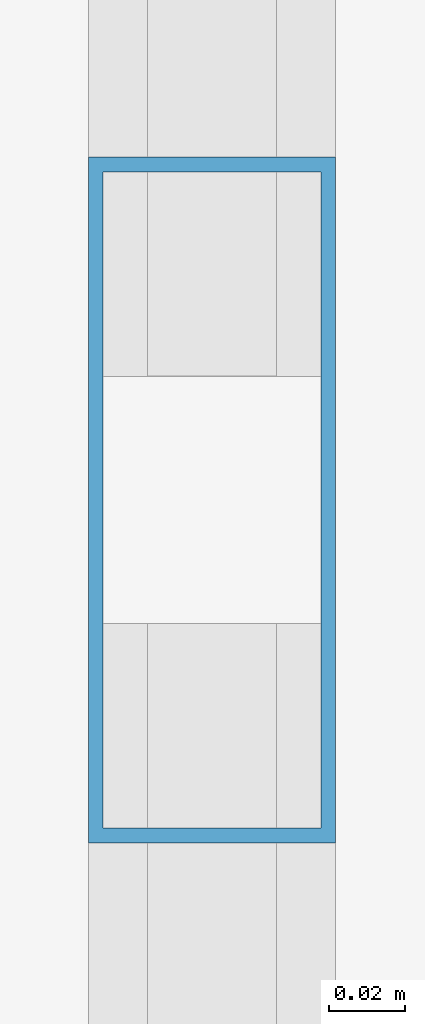
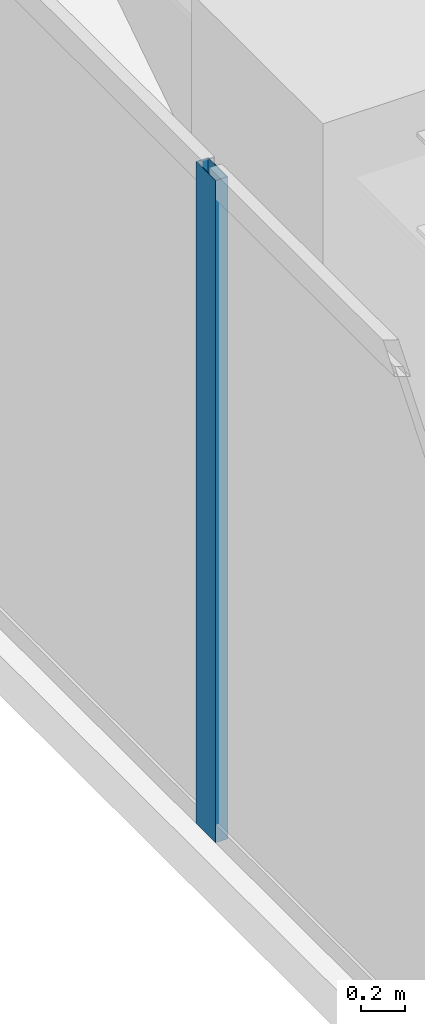
# One storey, part 13 of 30: 1 member, 1 element without a shape of its own.
"""IFC4 building model written with IfcOpenShell, lengths in metres."""

from ifc_helpers import new_model, si_unit, direction, frame, origin, origin_2d, place, context, subcontext, project, spatial, hollow_rectangle, extrude, material, layer, layer_set, material_profile, profile_set, type_object, element, aggregate, save


model = new_model("IFC4")

# Units and contexts
model_context = context("Model", 3, precision=1e-05, world=origin(), true_north=direction((0.0, 1.0)))
body_context = subcontext(model_context, "Body", "Model", "MODEL_VIEW")
ifc_project = project(units=[si_unit("LENGTHUNIT", "METRE"), si_unit("AREAUNIT", "SQUARE_METRE"), si_unit("VOLUMEUNIT", "CUBIC_METRE"), si_unit("PLANEANGLEUNIT", "RADIAN"), si_unit("MASSUNIT", "GRAM", prefix="KILO")], contexts=[model_context])

# Site, building, storey
site_placement = place(None, origin())
site = spatial("IfcSite", under=ifc_project, at=site_placement, CompositionType="ELEMENT")
building_placement = place(site_placement, origin())
building = spatial("IfcBuilding", under=site, at=building_placement, Name="Kiyonajd Concourse Tower", CompositionType="ELEMENT")
storey_placement = place(building_placement, frame((0.0, 0.0, 170.10009765625)))
storey = spatial("IfcBuildingStorey", under=building, at=storey_placement, Name="L43", CompositionType="ELEMENT", Elevation=170.10009765625)

# Curtain wall, member
ifc_material = material(Name="Thermally Broken Anodised Aluminium", Category="aluminium")
ifc_layer = layer(ifc_material, 0.179931640625)
ifc_layer_set = layer_set([ifc_layer], Name="Thermally Broken Anodised Aluminium")
curtain_wall_type = type_object("IfcCurtainWallType", Name="CW-SYS-03", PredefinedType="NOTDEFINED", material=ifc_layer_set)
curtain_wall_placement = place(storey_placement, origin())
curtain_wall = element("IfcCurtainWall", 1, at=curtain_wall_placement, inside=storey, type_object=curtain_wall_type, Name="L43 Unitised Curtain Wall CW3", PredefinedType="NOTDEFINED")
ifc_material_profile = material_profile(ifc_material, hollow_rectangle(XDim=0.06494140625, YDim=0.179931640625, WallThickness=0.00390625, at=origin_2d()), Name="MULL-65x180")
ifc_profile_set = profile_set([ifc_material_profile], Name="Thermally Broken Anodised Aluminium")
member_type = type_object("IfcMemberType", Name="MB-CW-MULL1", PredefinedType="MULLION", material=ifc_profile_set)
member_placement = place(storey_placement, frame((18.139892578125, 53.0146484375, 0.0), z_axis=(0.0, 0.0, 1.0), x_axis=(-1.0, 0.0, 0.0)))
member = element("IfcMember", 2, at=member_placement, type_object=member_type, Name="CW3 mullion 6", PredefinedType="MULLION", context=body_context, shape_type="SweptSolid", body=[
    extrude(hollow_rectangle(XDim=0.06494140625, YDim=0.179931640625, WallThickness=0.00390625, at=origin_2d()), origin(), (0.0, 0.0, 1.0), 3.679931640625),
])
aggregate(curtain_wall, [member])

save(model, "model.ifc")
